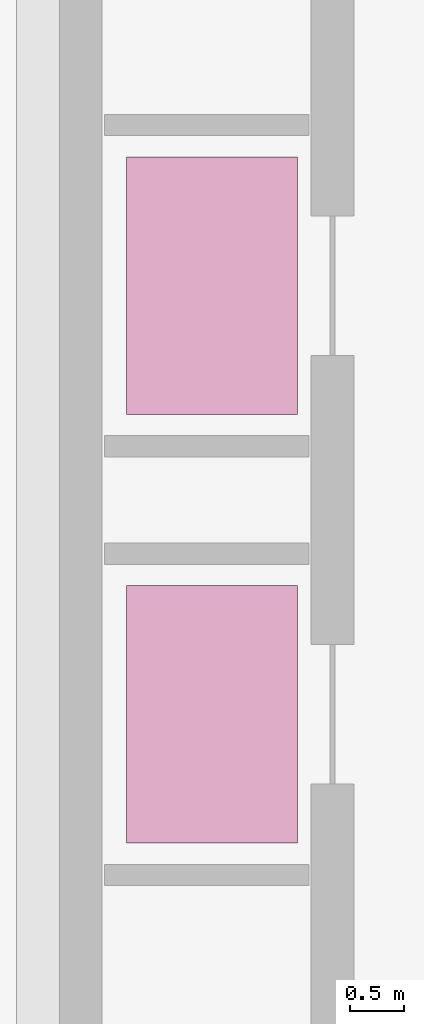
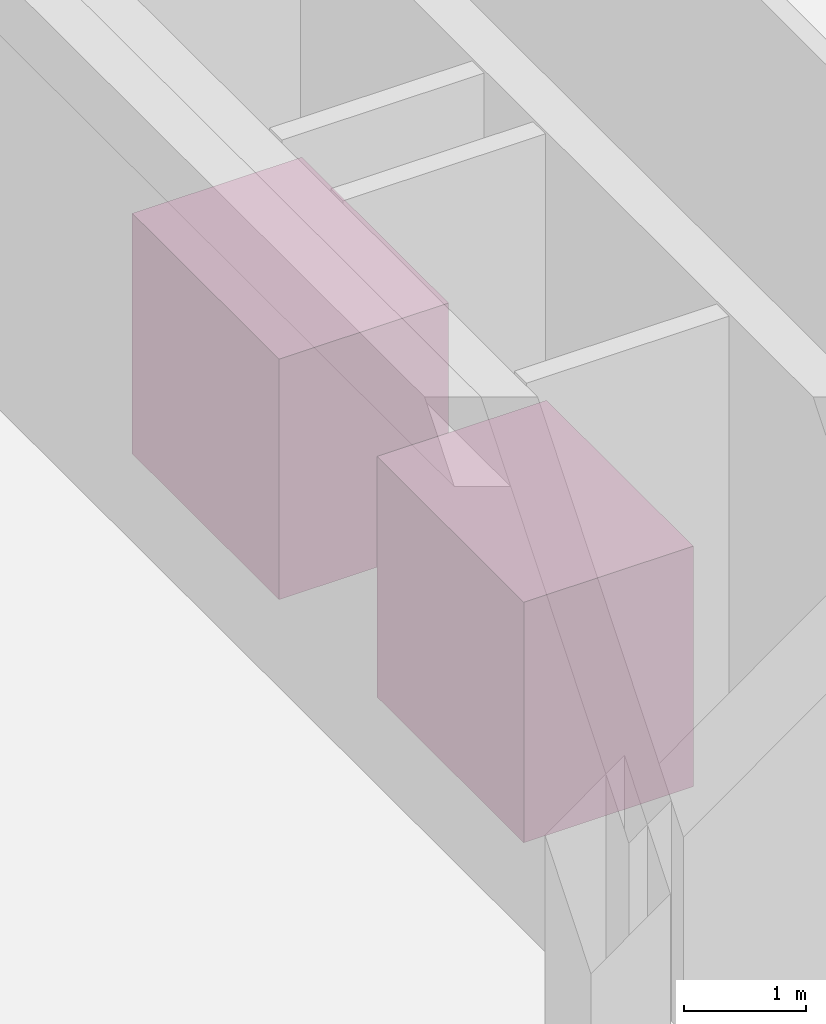
# One storey, part 13 of 13: 2 transport elements.
"""IFC4 building model written with IfcOpenShell, lengths in metres."""

from ifc_helpers import new_model, si_unit, direction, frame, origin, origin_2d, place, context, subcontext, project, spatial, rectangle, extrude, source, transform, mapped, material, type_object, element, save


model = new_model("IFC4")

# Units and contexts
model_context = context("Model", 3, precision=1e-05, world=origin(), true_north=direction((0.0, 1.0)))
body_context = subcontext(model_context, "Body", "Model", "MODEL_VIEW")
ifc_project = project(units=[si_unit("LENGTHUNIT", "METRE"), si_unit("AREAUNIT", "SQUARE_METRE"), si_unit("VOLUMEUNIT", "CUBIC_METRE"), si_unit("PLANEANGLEUNIT", "RADIAN"), si_unit("MASSUNIT", "GRAM", prefix="KILO")], contexts=[model_context])

# Site, building, storey
site_placement = place(None, origin())
site = spatial("IfcSite", under=ifc_project, at=site_placement, CompositionType="ELEMENT")
building_placement = place(site_placement, origin())
building = spatial("IfcBuilding", under=site, at=building_placement, Name="Veraguas Prism Commons", CompositionType="ELEMENT")
storey_placement = place(building_placement, frame((0.0, 0.0, -5.199951171875)))
storey = spatial("IfcBuildingStorey", under=building, at=storey_placement, Name="B1", CompositionType="ELEMENT", Elevation=-5.199951171875)

# Transport elements
ifc_material = material(Name="Stainless steel AISI 316", Category="steel")
transport_element_type = type_object("IfcTransportElementType", Name="Health Centre Stretcher Lift 1800kg", PredefinedType="ELEVATOR", material=ifc_material)
shared_shape = source(origin(), body_context, "Body", "SweptSolid", [
    extrude(rectangle(XDim=1.60009765625, YDim=2.39990234375, at=origin_2d()), origin(), (0.0, 0.0, 1.0), 2.39990234375),
])
for number, where, z_axis, x_axis, name in (
    (1, (64.22509765625, 20.0, 0.0), (0.0, 0.0, 1.0), (1.0, 0.0, 0.0), "Elevator Car CL-1"),
    (2, (64.22509765625, 24.0, 0.0), (0.0, 0.0, 1.0), (1.0, 0.0, 0.0), "Elevator Car CL-2"),
):
    element("IfcTransportElement", number, at=place(storey_placement, frame(where, z_axis=z_axis, x_axis=x_axis)), inside=storey, type_object=transport_element_type, Name=name, PredefinedType="ELEVATOR", context=body_context, shape_type="MappedRepresentation", body=[
        mapped(shared_shape, transform((0.0, 0.0, 0.0), scale=1.0)),
    ])

save(model, "model.ifc")
